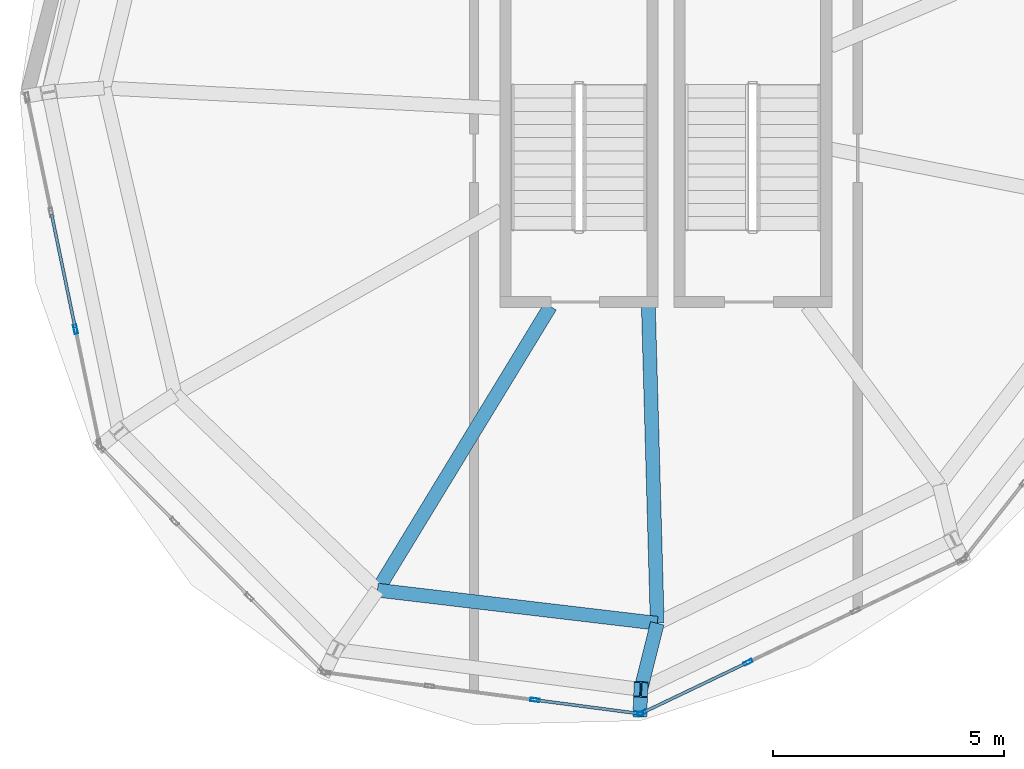
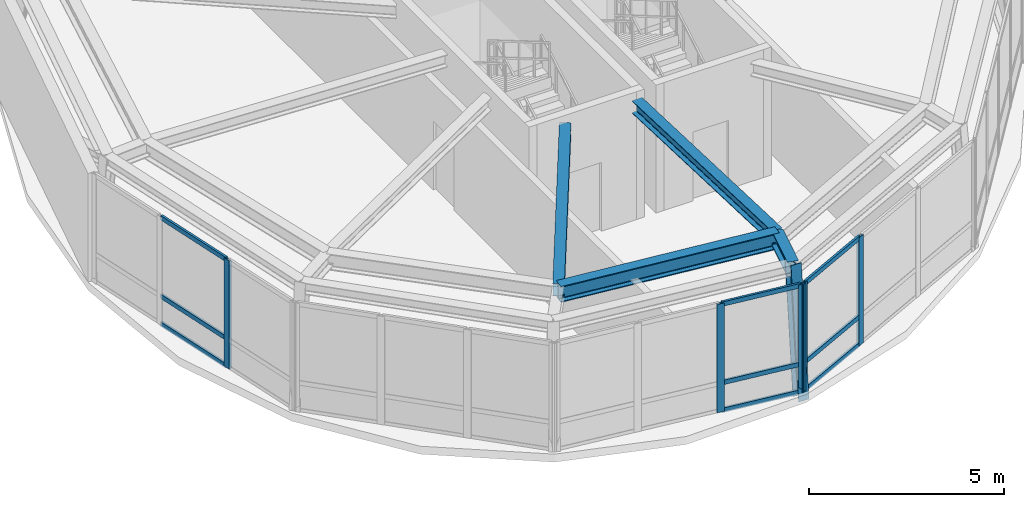
# One storey, part 2 of 11: 15 members, 4 beams, 3 elements without a shape of their own.
"""IFC4 building model written with IfcOpenShell, lengths in metres."""

from ifc_helpers import new_model, si_unit, direction, frame, origin, origin_2d, place, context, subcontext, project, spatial, hollow_rectangle, i_section, extrude, material, layer, layer_set, material_profile, profile_set, type_object, element, aggregate, save


model = new_model("IFC4")

# Units and contexts
model_context = context("Model", 3, precision=1e-05, world=origin(), true_north=direction((0.0, 1.0)))
body_context = subcontext(model_context, "Body", "Model", "MODEL_VIEW")
ifc_project = project(units=[si_unit("LENGTHUNIT", "METRE"), si_unit("AREAUNIT", "SQUARE_METRE"), si_unit("VOLUMEUNIT", "CUBIC_METRE"), si_unit("PLANEANGLEUNIT", "RADIAN"), si_unit("MASSUNIT", "GRAM", prefix="KILO"), si_unit("THERMODYNAMICTEMPERATUREUNIT", "KELVIN"), si_unit("POWERUNIT", "WATT")], contexts=[model_context])

# Site, building, storey
site_placement = place(None, origin())
site = spatial("IfcSite", under=ifc_project, at=site_placement, CompositionType="ELEMENT")
building_placement = place(site_placement, origin())
building = spatial("IfcBuilding", under=site, at=building_placement, Name="Ocrelia Relay Tower", CompositionType="ELEMENT")
storey_placement = place(building_placement, frame((0.0, 0.0, 292.0)))
storey = spatial("IfcBuildingStorey", under=building, at=storey_placement, Name="L73", CompositionType="ELEMENT", Elevation=292.0)

# Beams
ifc_material_1 = material(Name="Steel S355", Category="steel")
ifc_material_profile_1 = material_profile(ifc_material_1, i_section(OverallWidth=0.300048828125, OverallDepth=0.389892578125, WebThickness=0.010986328125, FlangeThickness=0.01904296875, FilletRadius=0.027099609375, at=origin_2d()), Name="HEA 400")
ifc_profile_set_1 = profile_set([ifc_material_profile_1], Name="Steel S355")
beam_type_1 = type_object("IfcBeamType", Name="BM-HEA400", PredefinedType="SPANDREL", material=ifc_profile_set_1)
beam_1_placement = place(storey_placement, frame((27.759033203125, 12.8564453125, 3.554931640625), z_axis=(0.520292773753, 0.853987956344, 0.0), x_axis=(-0.853987956344, 0.520292773753, 0.0)))
element("IfcBeam", 1, at=beam_1_placement, inside=storey, type_object=beam_type_1, Name="L73 Crown Radial Floor Beam 07", PredefinedType="SPANDREL", context=body_context, shape_type="SweptSolid", body=[
    extrude(i_section(OverallWidth=0.300048828125, OverallDepth=0.389892578125, WebThickness=0.010986328125, FlangeThickness=0.01904296875, FilletRadius=0.027099609375, at=origin_2d()), origin(), (0.0, 0.0, 1.0), 7.188232421875),
])
beam_2_placement = place(storey_placement, frame((33.81201171875, 12.140380859375, 3.554931640625), z_axis=(-0.027983480827, 0.99960838572, 0.0), x_axis=(-0.99960838572, -0.027983480827, 0.0)))
element("IfcBeam", 2, at=beam_2_placement, inside=storey, type_object=beam_type_1, Name="L73 Crown Radial Floor Beam 08", PredefinedType="SPANDREL", context=body_context, shape_type="SweptSolid", body=[
    extrude(i_section(OverallWidth=0.300048828125, OverallDepth=0.389892578125, WebThickness=0.010986328125, FlangeThickness=0.01904296875, FilletRadius=0.027099609375, at=origin_2d()), origin(), (0.0, 0.0, 1.0), 6.857421875),
])
ifc_material_profile_2 = material_profile(ifc_material_1, i_section(OverallWidth=0.300048828125, OverallDepth=0.449951171875, WebThickness=0.013916015625, FlangeThickness=0.02587890625, FilletRadius=0.027099609375, at=origin_2d()), Name="HEB 450")
ifc_profile_set_2 = profile_set([ifc_material_profile_2], Name="Steel S355")
beam_type_2 = type_object("IfcBeamType", Name="BM-HEB450", PredefinedType="BEAM", material=ifc_profile_set_2)
beam_3_placement = place(storey_placement, frame((33.456787109375, 10.70947265625, 3.52490234375), z_axis=(0.240937810839, 0.970540556241, 0.0), x_axis=(-0.970540556241, 0.240937810839, 0.0)))
element("IfcBeam", 3, at=beam_3_placement, inside=storey, type_object=beam_type_2, Name="L73 Crown Step Radial Beam ST08", PredefinedType="BEAM", context=body_context, shape_type="SweptSolid", body=[
    extrude(i_section(OverallWidth=0.300048828125, OverallDepth=0.449951171875, WebThickness=0.013916015625, FlangeThickness=0.02587890625, FilletRadius=0.027099609375, at=origin_2d()), origin(), (0.0, 0.0, 1.0), 1.474365234375),
])
ifc_material_profile_3 = material_profile(ifc_material_1, i_section(OverallWidth=0.300048828125, OverallDepth=0.5, WebThickness=0.014404296875, FlangeThickness=0.028076171875, FilletRadius=0.027099609375, at=origin_2d()), Name="HEB 500")
ifc_profile_set_3 = profile_set([ifc_material_profile_3], Name="Steel S355")
beam_type_3 = type_object("IfcBeamType", Name="BM-HEB500", PredefinedType="BEAM", material=ifc_profile_set_3)
beam_4_placement = place(storey_placement, frame((27.759033203125, 12.8564453125, 3.5), z_axis=(0.993075210761, -0.117480320783, 0.0), x_axis=(0.117480320783, 0.993075210761, 0.0)))
element("IfcBeam", 4, at=beam_4_placement, inside=storey, type_object=beam_type_3, Name="L73 Crown Step Perimeter Ring Beam SR07", PredefinedType="BEAM", context=body_context, shape_type="SweptSolid", body=[
    extrude(i_section(OverallWidth=0.300048828125, OverallDepth=0.5, WebThickness=0.014404296875, FlangeThickness=0.028076171875, FilletRadius=0.027099609375, at=origin_2d()), origin(), (0.0, 0.0, 1.0), 6.09521484375),
])

# Curtain wall, member
ifc_material_2 = material(Name="Aluminium and solar-control low-E glass", Category="aluminium")
ifc_layer = layer(ifc_material_2, 0.179931640625, Name="Aluminium and solar-control low-E glass")
ifc_layer_set = layer_set([ifc_layer], Name="Aluminium and solar-control low-E glass")
curtain_wall_type = type_object("IfcCurtainWallType", Name="CW-SYS-CROWN-PT", PredefinedType="NOTDEFINED", material=ifc_layer_set)
curtain_wall_1_placement = place(storey_placement, origin())
curtain_wall_1 = element("IfcCurtainWall", 5, at=curtain_wall_1_placement, inside=storey, type_object=curtain_wall_type, Name="L73 Faceted Glass-Point Crown Curtain Wall 05", PredefinedType="NOTDEFINED")
ifc_material_3 = material(Name="Anodised bronze aluminium", Category="aluminium")
ifc_material_profile_4 = material_profile(ifc_material_3, hollow_rectangle(XDim=0.074951171875, YDim=0.199951171875, WallThickness=0.006103515625, at=origin_2d()), Name="CW-MUL-200x75")
ifc_profile_set_4 = profile_set([ifc_material_profile_4], Name="Anodised bronze aluminium")
member_type_1 = type_object("IfcMemberType", Name="CW-SYS-CROWN-PT-MUL", PredefinedType="MULLION", material=ifc_profile_set_4)
member_1_placement = place(storey_placement, frame((21.227783203125, 18.501953125, 0.0), z_axis=(0.0, 0.0, 1.0), x_axis=(0.979083868397, 0.203457068306, 0.0)))
member_1 = element("IfcMember", 6, at=member_1_placement, type_object=member_type_1, Name="CW-CR mullion 3", PredefinedType="MULLION", context=body_context, shape_type="SweptSolid", body=[
    extrude(hollow_rectangle(XDim=0.074951171875, YDim=0.199951171875, WallThickness=0.006103515625, at=origin_2d()), origin(), (0.0, 0.0, 1.0), 3.389892578125),
])

# Curtain wall, members
curtain_wall_2_placement = place(storey_placement, origin())
curtain_wall_2 = element("IfcCurtainWall", 7, at=curtain_wall_2_placement, inside=storey, type_object=curtain_wall_type, Name="L73 Faceted Glass-Point Crown Curtain Wall 07", PredefinedType="NOTDEFINED")
member_2_placement = place(storey_placement, frame((31.16796875, 10.481689453125, 0.0), z_axis=(0.0, 0.0, 1.0), x_axis=(0.13010788898, 0.991499842272, 0.0)))
member_2 = element("IfcMember", 8, at=member_2_placement, type_object=member_type_1, Name="CW-CR mullion 3", PredefinedType="MULLION", context=body_context, shape_type="SweptSolid", body=[
    extrude(hollow_rectangle(XDim=0.074951171875, YDim=0.199951171875, WallThickness=0.006103515625, at=origin_2d()), origin(), (0.0, 0.0, 1.0), 3.389892578125),
])
member_3_placement = place(storey_placement, frame((33.409912109375, 10.1875, 0.0), z_axis=(0.0, 0.0, 1.0), x_axis=(0.13010788898, 0.991499842272, 0.0)))
member_3 = element("IfcMember", 9, at=member_3_placement, type_object=member_type_1, Name="CW-CR mullion 4", PredefinedType="MULLION", context=body_context, shape_type="SweptSolid", body=[
    extrude(hollow_rectangle(XDim=0.074951171875, YDim=0.199951171875, WallThickness=0.006103515625, at=origin_2d()), origin(), (0.0, 0.0, 1.0), 3.389892578125),
])

curtain_wall_3_placement = place(storey_placement, origin())
curtain_wall_3 = element("IfcCurtainWall", 10, at=curtain_wall_3_placement, inside=storey, type_object=curtain_wall_type, Name="L73 Faceted Glass-Point Crown Curtain Wall 08", PredefinedType="NOTDEFINED")
member_4_placement = place(storey_placement, frame((33.480712890625, 10.198974609375, 0.0), z_axis=(0.0, 0.0, 1.0), x_axis=(-0.431476975166, 0.902123949301, 0.0)))
member_4 = element("IfcMember", 11, at=member_4_placement, type_object=member_type_1, Name="CW-CR mullion 1", PredefinedType="MULLION", context=body_context, shape_type="SweptSolid", body=[
    extrude(hollow_rectangle(XDim=0.074951171875, YDim=0.199951171875, WallThickness=0.006103515625, at=origin_2d()), origin(), (0.0, 0.0, 1.0), 3.389892578125),
])
member_5_placement = place(storey_placement, frame((35.775390625, 11.29638671875, 0.0), z_axis=(0.0, 0.0, 1.0), x_axis=(-0.431476975166, 0.902123949301, 0.0)))
member_5 = element("IfcMember", 12, at=member_5_placement, type_object=member_type_1, Name="CW-CR mullion 2", PredefinedType="MULLION", context=body_context, shape_type="SweptSolid", body=[
    extrude(hollow_rectangle(XDim=0.074951171875, YDim=0.199951171875, WallThickness=0.006103515625, at=origin_2d()), origin(), (0.0, 0.0, 1.0), 3.389892578125),
])

# Member
ifc_material_profile_5 = material_profile(ifc_material_3, hollow_rectangle(XDim=0.06494140625, YDim=0.139892578125, WallThickness=0.0048828125, at=origin_2d()), Name="CW-TRN-140x65")
ifc_profile_set_5 = profile_set([ifc_material_profile_5], Name="Anodised bronze aluminium")
member_type_2 = type_object("IfcMemberType", Name="CW-SYS-CROWN-PT-TRN", PredefinedType="USERDEFINED", material=ifc_profile_set_5)
member_6_placement = place(storey_placement, frame((20.710205078125, 20.992431640625, 0.032470703125), z_axis=(0.203510736367, -0.979072714451, 0.0), x_axis=(0.979072714451, 0.203510736367, 0.0)))
member_6 = element("IfcMember", 13, at=member_6_placement, type_object=member_type_2, Name="CW-CR transom 2.1", ObjectType="TRANSOM", PredefinedType="USERDEFINED", context=body_context, shape_type="SweptSolid", body=[
    extrude(hollow_rectangle(XDim=0.06494140625, YDim=0.139892578125, WallThickness=0.0048828125, at=origin_2d()), origin(), (0.0, 0.0, 1.0), 2.506103515625),
])

member_7_placement = place(storey_placement, frame((20.710205078125, 20.992431640625, 0.89990234375), z_axis=(0.203510736367, -0.979072714451, 0.0), x_axis=(0.979072714451, 0.203510736367, 0.0)))
member_7 = element("IfcMember", 14, at=member_7_placement, type_object=member_type_2, Name="CW-CR transom 2.2", ObjectType="TRANSOM", PredefinedType="USERDEFINED", context=body_context, shape_type="SweptSolid", body=[
    extrude(hollow_rectangle(XDim=0.06494140625, YDim=0.139892578125, WallThickness=0.0048828125, at=origin_2d()), origin(), (0.0, 0.0, 1.0), 2.506103515625),
])

member_8_placement = place(storey_placement, frame((20.710205078125, 20.992431640625, 3.357421875), z_axis=(0.203510736367, -0.979072714451, 0.0), x_axis=(0.979072714451, 0.203510736367, 0.0)))
member_8 = element("IfcMember", 15, at=member_8_placement, type_object=member_type_2, Name="CW-CR transom 2.3", ObjectType="TRANSOM", PredefinedType="USERDEFINED", context=body_context, shape_type="SweptSolid", body=[
    extrude(hollow_rectangle(XDim=0.06494140625, YDim=0.139892578125, WallThickness=0.0048828125, at=origin_2d()), origin(), (0.0, 0.0, 1.0), 2.506103515625),
])

aggregate(curtain_wall_1, [member_1, member_6, member_7, member_8])

member_9_placement = place(storey_placement, frame((31.205078125, 10.476806640625, 0.032470703125), z_axis=(0.991499849859, -0.130107831165, 0.0), x_axis=(0.130107831165, 0.991499849859, 0.0)))
member_9 = element("IfcMember", 16, at=member_9_placement, type_object=member_type_2, Name="CW-CR transom 3.1", ObjectType="TRANSOM", PredefinedType="USERDEFINED", context=body_context, shape_type="SweptSolid", body=[
    extrude(hollow_rectangle(XDim=0.06494140625, YDim=0.139892578125, WallThickness=0.0048828125, at=origin_2d()), origin(), (0.0, 0.0, 1.0), 2.18603515625),
])

member_10_placement = place(storey_placement, frame((31.205078125, 10.476806640625, 0.89990234375), z_axis=(0.991499849859, -0.130107831165, 0.0), x_axis=(0.130107831165, 0.991499849859, 0.0)))
member_10 = element("IfcMember", 17, at=member_10_placement, type_object=member_type_2, Name="CW-CR transom 3.2", ObjectType="TRANSOM", PredefinedType="USERDEFINED", context=body_context, shape_type="SweptSolid", body=[
    extrude(hollow_rectangle(XDim=0.06494140625, YDim=0.139892578125, WallThickness=0.0048828125, at=origin_2d()), origin(), (0.0, 0.0, 1.0), 2.18603515625),
])

member_11_placement = place(storey_placement, frame((31.205078125, 10.476806640625, 3.357421875), z_axis=(0.991499849859, -0.130107831165, 0.0), x_axis=(0.130107831165, 0.991499849859, 0.0)))
member_11 = element("IfcMember", 18, at=member_11_placement, type_object=member_type_2, Name="CW-CR transom 3.3", ObjectType="TRANSOM", PredefinedType="USERDEFINED", context=body_context, shape_type="SweptSolid", body=[
    extrude(hollow_rectangle(XDim=0.06494140625, YDim=0.139892578125, WallThickness=0.0048828125, at=origin_2d()), origin(), (0.0, 0.0, 1.0), 2.18603515625),
])

aggregate(curtain_wall_2, [member_2, member_3, member_9, member_10, member_11])

member_12_placement = place(storey_placement, frame((33.5146484375, 10.215087890625, 0.032470703125), z_axis=(0.902122506019, 0.431479992739, 0.0), x_axis=(-0.431479992739, 0.902122506019, 0.0)))
member_12 = element("IfcMember", 19, at=member_12_placement, type_object=member_type_2, Name="CW-CR transom 1.1", ObjectType="TRANSOM", PredefinedType="USERDEFINED", context=body_context, shape_type="SweptSolid", body=[
    extrude(hollow_rectangle(XDim=0.06494140625, YDim=0.139892578125, WallThickness=0.0048828125, at=origin_2d()), origin(), (0.0, 0.0, 1.0), 2.46875),
])

member_13_placement = place(storey_placement, frame((33.5146484375, 10.215087890625, 0.89990234375), z_axis=(0.902122506019, 0.431479992739, 0.0), x_axis=(-0.431479992739, 0.902122506019, 0.0)))
member_13 = element("IfcMember", 20, at=member_13_placement, type_object=member_type_2, Name="CW-CR transom 1.2", ObjectType="TRANSOM", PredefinedType="USERDEFINED", context=body_context, shape_type="SweptSolid", body=[
    extrude(hollow_rectangle(XDim=0.06494140625, YDim=0.139892578125, WallThickness=0.0048828125, at=origin_2d()), origin(), (0.0, 0.0, 1.0), 2.46875),
])

member_14_placement = place(storey_placement, frame((33.5146484375, 10.215087890625, 3.357421875), z_axis=(0.902122506019, 0.431479992739, 0.0), x_axis=(-0.431479992739, 0.902122506019, 0.0)))
member_14 = element("IfcMember", 21, at=member_14_placement, type_object=member_type_2, Name="CW-CR transom 1.3", ObjectType="TRANSOM", PredefinedType="USERDEFINED", context=body_context, shape_type="SweptSolid", body=[
    extrude(hollow_rectangle(XDim=0.06494140625, YDim=0.139892578125, WallThickness=0.0048828125, at=origin_2d()), origin(), (0.0, 0.0, 1.0), 2.46875),
])

aggregate(curtain_wall_3, [member_4, member_5, member_12, member_13, member_14])

ifc_material_profile_6 = material_profile(ifc_material_1, i_section(OverallWidth=0.300048828125, OverallDepth=0.340087890625, WebThickness=0.011962890625, FlangeThickness=0.021484375, FilletRadius=0.027099609375, at=origin_2d()), Name="HEB 340")
ifc_profile_set_6 = profile_set([ifc_material_profile_6], Name="Steel S355")
member_type_3 = type_object("IfcMemberType", Name="MB-CROWN-RIB", PredefinedType="STRUT", material=ifc_profile_set_6)
member_15_placement = place(storey_placement, frame((33.440673828125, 10.282470703125, -0.25), z_axis=(0.004005529808, 0.106146539905, 0.994342429849), x_axis=(-0.999288762357, 0.0377090099, 0.0)))
element("IfcMember", 22, at=member_15_placement, inside=storey, type_object=member_type_3, Name="L73 Crown Faceted Structural Strut Rib CR08", PredefinedType="STRUT", context=body_context, shape_type="SweptSolid", body=[
    extrude(i_section(OverallWidth=0.300048828125, OverallDepth=0.340087890625, WebThickness=0.011962890625, FlangeThickness=0.021484375, FilletRadius=0.027099609375, at=origin_2d()), origin(), (0.0, 0.0, 1.0), 4.022705078125),
])

save(model, "model.ifc")
